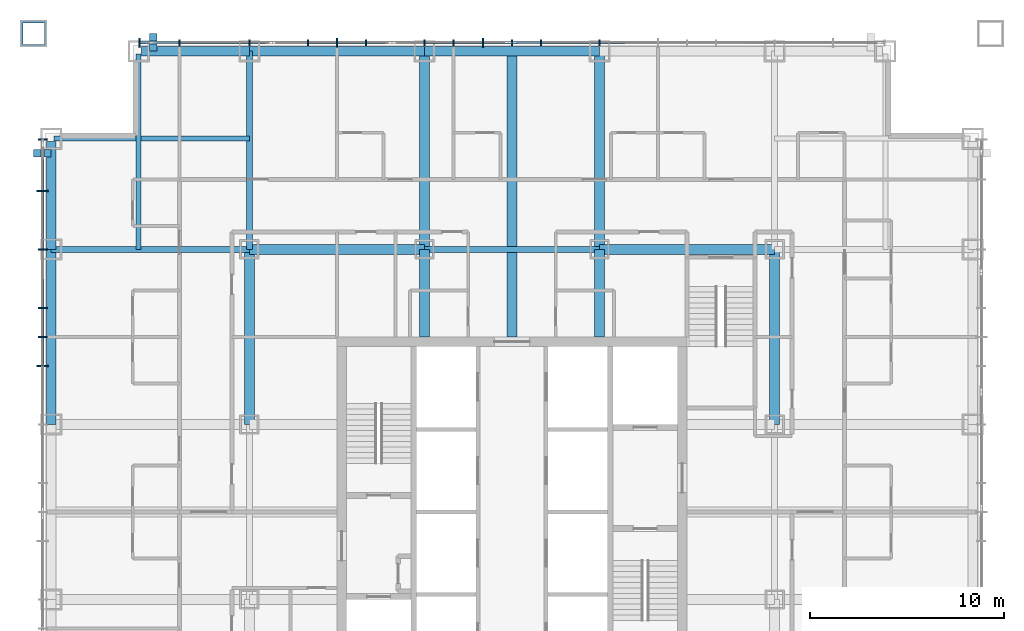
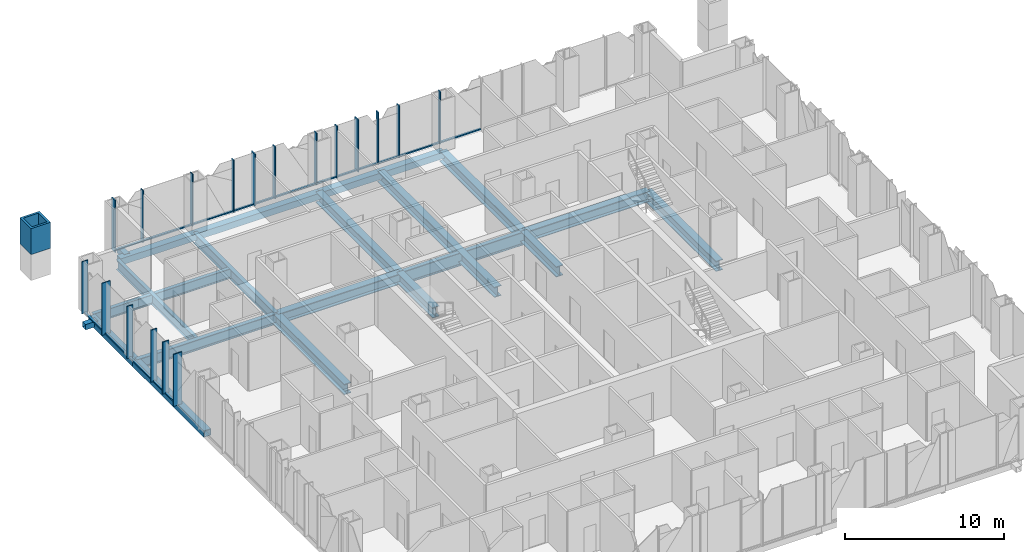
# One storey, part 5 of 23: 38 members, 19 beams, 2 elements without a shape of their own.
"""IFC4 building model written with IfcOpenShell, lengths in metres."""

from ifc_helpers import new_model, si_unit, direction, frame, origin, origin_2d, place, context, subcontext, project, spatial, rectangle, hollow_rectangle, i_section, extrude, material, layer, layer_set, material_profile, profile_set, type_object, element, aggregate, save


model = new_model("IFC4")

# Units and contexts
model_context = context("Model", 3, precision=1e-05, world=origin(), true_north=direction((0.0, 1.0)))
body_context = subcontext(model_context, "Body", "Model", "MODEL_VIEW")
ifc_project = project(units=[si_unit("LENGTHUNIT", "METRE"), si_unit("AREAUNIT", "SQUARE_METRE"), si_unit("VOLUMEUNIT", "CUBIC_METRE"), si_unit("PLANEANGLEUNIT", "RADIAN"), si_unit("MASSUNIT", "GRAM", prefix="KILO")], contexts=[model_context])

# Site, building, storey
site_placement = place(None, origin())
site = spatial("IfcSite", under=ifc_project, at=site_placement, CompositionType="ELEMENT")
building_placement = place(site_placement, origin())
building = spatial("IfcBuilding", under=site, at=building_placement, Name="Malebo Sky Hospital", CompositionType="ELEMENT")
storey_placement = place(building_placement, frame((0.0, 0.0, 168.0)))
storey = spatial("IfcBuildingStorey", under=building, at=storey_placement, Name="L40", CompositionType="ELEMENT", Elevation=168.0)

# Curtain wall, members
ifc_material_1 = material(Name="Anodised aluminium, natural silver", Category="aluminium")
ifc_layer_1 = layer(ifc_material_1, 0.25)
ifc_layer_set_1 = layer_set([ifc_layer_1], Name="WARD CURTAIN WALL NORTH AND SOUTH")
curtain_wall_type_1 = type_object("IfcCurtainWallType", Name="WARD CURTAIN WALL NORTH AND SOUTH", PredefinedType="NOTDEFINED", material=ifc_layer_set_1)
curtain_wall_1_placement = place(storey_placement, origin())
curtain_wall_1 = element("IfcCurtainWall", 1, at=curtain_wall_1_placement, inside=storey, type_object=curtain_wall_type_1, Name="NS curtain wall N", PredefinedType="NOTDEFINED")
ifc_material_profile_1 = material_profile(ifc_material_1, rectangle(XDim=0.14990234375, YDim=0.10009765625, at=origin_2d()), Name="ALUMINIUM TRANSOM 150x100")
ifc_profile_set_1 = profile_set([ifc_material_profile_1], Name="Anodised aluminium, natural silver")
member_type_1 = type_object("IfcMemberType", Name="ALUMINIUM TRANSOM 150x100", PredefinedType="USERDEFINED", material=ifc_profile_set_1)
member_1_placement = place(storey_placement, frame((40.875, 86.135009765625, 0.050048828125), z_axis=(1.0, 0.0, 0.0), x_axis=(0.0, 1.0, 0.0)))
member_1 = element("IfcMember", 2, at=member_1_placement, type_object=member_type_1, Name="Transom 1", ObjectType="TRANSOM", PredefinedType="USERDEFINED", context=body_context, shape_type="SweptSolid", body=[
    extrude(rectangle(XDim=0.14990234375, YDim=0.10009765625, at=origin_2d()), origin(), (0.0, 0.0, 1.0), 1.987548828125),
])
member_2_placement = place(storey_placement, frame((42.9375, 86.135009765625, 0.050048828125), z_axis=(1.0, 0.0, 0.0), x_axis=(0.0, 1.0, 0.0)))
member_2 = element("IfcMember", 3, at=member_2_placement, type_object=member_type_1, Name="Transom 2", ObjectType="TRANSOM", PredefinedType="USERDEFINED", context=body_context, shape_type="SweptSolid", body=[
    extrude(rectangle(XDim=0.14990234375, YDim=0.10009765625, at=origin_2d()), origin(), (0.0, 0.0, 1.0), 3.52490234375),
])
member_3_placement = place(storey_placement, frame((46.53759765625, 86.135009765625, 0.050048828125), z_axis=(1.0, 0.0, 0.0), x_axis=(0.0, 1.0, 0.0)))
member_3 = element("IfcMember", 4, at=member_3_placement, type_object=member_type_1, Name="Transom 3", ObjectType="TRANSOM", PredefinedType="USERDEFINED", context=body_context, shape_type="SweptSolid", body=[
    extrude(rectangle(XDim=0.14990234375, YDim=0.10009765625, at=origin_2d()), origin(), (0.0, 0.0, 1.0), 2.9248046875),
])
member_4_placement = place(storey_placement, frame((49.53759765625, 86.135009765625, 0.050048828125), z_axis=(1.0, 0.0, 0.0), x_axis=(0.0, 1.0, 0.0)))
member_4 = element("IfcMember", 5, at=member_4_placement, type_object=member_type_1, Name="Transom 4", ObjectType="TRANSOM", PredefinedType="USERDEFINED", context=body_context, shape_type="SweptSolid", body=[
    extrude(rectangle(XDim=0.14990234375, YDim=0.10009765625, at=origin_2d()), origin(), (0.0, 0.0, 1.0), 1.4248046875),
])
member_5_placement = place(storey_placement, frame((51.03759765625, 86.135009765625, 0.050048828125), z_axis=(1.0, 0.0, 0.0), x_axis=(0.0, 1.0, 0.0)))
member_5 = element("IfcMember", 6, at=member_5_placement, type_object=member_type_1, Name="Transom 5", ObjectType="TRANSOM", PredefinedType="USERDEFINED", context=body_context, shape_type="SweptSolid", body=[
    extrude(rectangle(XDim=0.14990234375, YDim=0.10009765625, at=origin_2d()), origin(), (0.0, 0.0, 1.0), 1.4248046875),
])
member_6_placement = place(storey_placement, frame((52.53759765625, 86.135009765625, 0.050048828125), z_axis=(1.0, 0.0, 0.0), x_axis=(0.0, 1.0, 0.0)))
member_6 = element("IfcMember", 7, at=member_6_placement, type_object=member_type_1, Name="Transom 6", ObjectType="TRANSOM", PredefinedType="USERDEFINED", context=body_context, shape_type="SweptSolid", body=[
    extrude(rectangle(XDim=0.14990234375, YDim=0.10009765625, at=origin_2d()), origin(), (0.0, 0.0, 1.0), 2.9248046875),
])
member_7_placement = place(storey_placement, frame((55.53759765625, 86.135009765625, 0.050048828125), z_axis=(1.0, 0.0, 0.0), x_axis=(0.0, 1.0, 0.0)))
member_7 = element("IfcMember", 8, at=member_7_placement, type_object=member_type_1, Name="Transom 7", ObjectType="TRANSOM", PredefinedType="USERDEFINED", context=body_context, shape_type="SweptSolid", body=[
    extrude(rectangle(XDim=0.14990234375, YDim=0.10009765625, at=origin_2d()), origin(), (0.0, 0.0, 1.0), 1.4248046875),
])
member_8_placement = place(storey_placement, frame((57.03759765625, 86.135009765625, 0.050048828125), z_axis=(1.0, 0.0, 0.0), x_axis=(0.0, 1.0, 0.0)))
member_8 = element("IfcMember", 9, at=member_8_placement, type_object=member_type_1, Name="Transom 8", ObjectType="TRANSOM", PredefinedType="USERDEFINED", context=body_context, shape_type="SweptSolid", body=[
    extrude(rectangle(XDim=0.14990234375, YDim=0.10009765625, at=origin_2d()), origin(), (0.0, 0.0, 1.0), 1.4248046875),
])
member_9_placement = place(storey_placement, frame((58.53759765625, 86.135009765625, 0.050048828125), z_axis=(1.0, 0.0, 0.0), x_axis=(0.0, 1.0, 0.0)))
member_9 = element("IfcMember", 10, at=member_9_placement, type_object=member_type_1, Name="Transom 9", ObjectType="TRANSOM", PredefinedType="USERDEFINED", context=body_context, shape_type="SweptSolid", body=[
    extrude(rectangle(XDim=0.14990234375, YDim=0.10009765625, at=origin_2d()), origin(), (0.0, 0.0, 1.0), 1.4248046875),
])
member_10_placement = place(storey_placement, frame((60.03759765625, 86.135009765625, 0.050048828125), z_axis=(1.0, 0.0, 0.0), x_axis=(0.0, 1.0, 0.0)))
member_10 = element("IfcMember", 11, at=member_10_placement, type_object=member_type_1, Name="Transom 10", ObjectType="TRANSOM", PredefinedType="USERDEFINED", context=body_context, shape_type="SweptSolid", body=[
    extrude(rectangle(XDim=0.14990234375, YDim=0.10009765625, at=origin_2d()), origin(), (0.0, 0.0, 1.0), 1.4248046875),
])
member_11_placement = place(storey_placement, frame((61.53759765625, 86.135009765625, 0.050048828125), z_axis=(1.0, 0.0, 0.0), x_axis=(0.0, 1.0, 0.0)))
member_11 = element("IfcMember", 12, at=member_11_placement, type_object=member_type_1, Name="Transom 11", ObjectType="TRANSOM", PredefinedType="USERDEFINED", context=body_context, shape_type="SweptSolid", body=[
    extrude(rectangle(XDim=0.14990234375, YDim=0.10009765625, at=origin_2d()), origin(), (0.0, 0.0, 1.0), 2.9248046875),
])
member_12_placement = place(storey_placement, frame((64.53759765625, 86.135009765625, 0.050048828125), z_axis=(1.0, 0.0, 0.0), x_axis=(0.0, 1.0, 0.0)))
member_12 = element("IfcMember", 13, at=member_12_placement, type_object=member_type_1, Name="Transom 12", ObjectType="TRANSOM", PredefinedType="USERDEFINED", context=body_context, shape_type="SweptSolid", body=[
    extrude(rectangle(XDim=0.14990234375, YDim=0.10009765625, at=origin_2d()), origin(), (0.0, 0.0, 1.0), 2.9248046875),
])

ifc_layer_2 = layer(ifc_material_1, 0.25)
ifc_layer_set_2 = layer_set([ifc_layer_2], Name="WARD CURTAIN WALL EAST AND WEST")
curtain_wall_type_2 = type_object("IfcCurtainWallType", Name="WARD CURTAIN WALL EAST AND WEST", PredefinedType="NOTDEFINED", material=ifc_layer_set_2)
curtain_wall_2_placement = place(storey_placement, origin())
curtain_wall_2 = element("IfcCurtainWall", 14, at=curtain_wall_2_placement, inside=storey, type_object=curtain_wall_type_2, Name="EW curtain wall W", PredefinedType="NOTDEFINED")
member_13_placement = place(storey_placement, frame((35.864990234375, 69.53759765625, 0.050048828125), z_axis=(0.0, 1.0, 0.0), x_axis=(-1.0, 0.0, 0.0)))
member_13 = element("IfcMember", 15, at=member_13_placement, type_object=member_type_1, Name="Transom 13", ObjectType="TRANSOM", PredefinedType="USERDEFINED", context=body_context, shape_type="SweptSolid", body=[
    extrude(rectangle(XDim=0.14990234375, YDim=0.10009765625, at=origin_2d()), origin(), (0.0, 0.0, 1.0), 1.4248046875),
])
member_14_placement = place(storey_placement, frame((35.864990234375, 71.03759765625, 0.050048828125), z_axis=(0.0, 1.0, 0.0), x_axis=(-1.0, 0.0, 0.0)))
member_14 = element("IfcMember", 16, at=member_14_placement, type_object=member_type_1, Name="Transom 14", ObjectType="TRANSOM", PredefinedType="USERDEFINED", context=body_context, shape_type="SweptSolid", body=[
    extrude(rectangle(XDim=0.14990234375, YDim=0.10009765625, at=origin_2d()), origin(), (0.0, 0.0, 1.0), 1.4248046875),
])
member_15_placement = place(storey_placement, frame((35.864990234375, 72.53759765625, 0.050048828125), z_axis=(0.0, 1.0, 0.0), x_axis=(-1.0, 0.0, 0.0)))
member_15 = element("IfcMember", 17, at=member_15_placement, type_object=member_type_1, Name="Transom 15", ObjectType="TRANSOM", PredefinedType="USERDEFINED", context=body_context, shape_type="SweptSolid", body=[
    extrude(rectangle(XDim=0.14990234375, YDim=0.10009765625, at=origin_2d()), origin(), (0.0, 0.0, 1.0), 2.9248046875),
])
member_16_placement = place(storey_placement, frame((35.864990234375, 75.53759765625, 0.050048828125), z_axis=(0.0, 1.0, 0.0), x_axis=(-1.0, 0.0, 0.0)))
member_16 = element("IfcMember", 18, at=member_16_placement, type_object=member_type_1, Name="Transom 16", ObjectType="TRANSOM", PredefinedType="USERDEFINED", context=body_context, shape_type="SweptSolid", body=[
    extrude(rectangle(XDim=0.14990234375, YDim=0.10009765625, at=origin_2d()), origin(), (0.0, 0.0, 1.0), 2.9248046875),
])
member_17_placement = place(storey_placement, frame((35.864990234375, 78.53759765625, 0.050048828125), z_axis=(0.0, 1.0, 0.0), x_axis=(-1.0, 0.0, 0.0)))
member_17 = element("IfcMember", 19, at=member_17_placement, type_object=member_type_1, Name="Transom 17", ObjectType="TRANSOM", PredefinedType="USERDEFINED", context=body_context, shape_type="SweptSolid", body=[
    extrude(rectangle(XDim=0.14990234375, YDim=0.10009765625, at=origin_2d()), origin(), (0.0, 0.0, 1.0), 2.58740234375),
])

# Members
ifc_material_2 = material(Name="Steel S355", Category="steel")
ifc_material_profile_2 = material_profile(ifc_material_2, hollow_rectangle(XDim=0.39990234375, YDim=0.39990234375, WallThickness=0.02001953125, at=origin_2d()), Name="SHS 400x20")
ifc_profile_set_2 = profile_set([ifc_material_profile_2], Name="Steel S355")
member_type_2 = type_object("IfcMemberType", Name="BRACE STRUT SHS 400x20", PredefinedType="STRUT", material=ifc_profile_set_2)
for number, where, z_axis, x_axis, name in (
    (20, (41.550048828125, 86.60009765625, -0.39990234375), (0.0, -1.0, 0.0), (1.0, 0.0, 0.0), "Brace strut BN1 L40"),
    (21, (35.39990234375, 80.449951171875, -0.39990234375), (1.0, 0.0, 0.0), (0.0, 1.0, 0.0), "Brace strut BW2 L40"),
):
    element("IfcMember", number, at=place(storey_placement, frame(where, z_axis=z_axis, x_axis=x_axis)), inside=storey, type_object=member_type_2, Name=name, PredefinedType="STRUT", context=body_context, shape_type="SweptSolid", body=[
        extrude(hollow_rectangle(XDim=0.39990234375, YDim=0.39990234375, WallThickness=0.02001953125, at=origin_2d()), origin(), (0.0, 0.0, 1.0), 0.900146484375),
    ])

# Member
ifc_material_profile_3 = material_profile(ifc_material_1, rectangle(XDim=0.074951171875, YDim=0.300048828125, at=origin_2d()), Name="CW1 ALUMINIUM FIN MULLION 75x300")
ifc_profile_set_3 = profile_set([ifc_material_profile_3], Name="Anodised aluminium, natural silver")
member_type_3 = type_object("IfcMemberType", Name="CW1 ALUMINIUM FIN MULLION 75x300", PredefinedType="MULLION", material=ifc_profile_set_3)
member_18_placement = place(storey_placement, frame((42.89990234375, 86.135009765625, 0.0), z_axis=(0.0, 0.0, 1.0), x_axis=(1.0, 0.0, 0.0)))
member_18 = element("IfcMember", 22, at=member_18_placement, type_object=member_type_3, Name="Fin mullion 2", PredefinedType="MULLION", context=body_context, shape_type="SweptSolid", body=[
    extrude(rectangle(XDim=0.074951171875, YDim=0.300048828125, at=origin_2d()), origin(), (0.0, 0.0, 1.0), 4.0),
])

member_19_placement = place(storey_placement, frame((46.5, 86.135009765625, 0.0), z_axis=(0.0, 0.0, 1.0), x_axis=(1.0, 0.0, 0.0)))
member_19 = element("IfcMember", 23, at=member_19_placement, type_object=member_type_3, Name="Fin mullion 3", PredefinedType="MULLION", context=body_context, shape_type="SweptSolid", body=[
    extrude(rectangle(XDim=0.074951171875, YDim=0.300048828125, at=origin_2d()), origin(), (0.0, 0.0, 1.0), 4.0),
])

member_20_placement = place(storey_placement, frame((49.5, 86.135009765625, 0.0), z_axis=(0.0, 0.0, 1.0), x_axis=(1.0, 0.0, 0.0)))
member_20 = element("IfcMember", 24, at=member_20_placement, type_object=member_type_3, Name="Fin mullion 4", PredefinedType="MULLION", context=body_context, shape_type="SweptSolid", body=[
    extrude(rectangle(XDim=0.074951171875, YDim=0.300048828125, at=origin_2d()), origin(), (0.0, 0.0, 1.0), 4.0),
])

member_21_placement = place(storey_placement, frame((52.5, 86.135009765625, 0.0), z_axis=(0.0, 0.0, 1.0), x_axis=(1.0, 0.0, 0.0)))
member_21 = element("IfcMember", 25, at=member_21_placement, type_object=member_type_3, Name="Fin mullion 6", PredefinedType="MULLION", context=body_context, shape_type="SweptSolid", body=[
    extrude(rectangle(XDim=0.074951171875, YDim=0.300048828125, at=origin_2d()), origin(), (0.0, 0.0, 1.0), 4.0),
])

member_22_placement = place(storey_placement, frame((55.5, 86.135009765625, 0.0), z_axis=(0.0, 0.0, 1.0), x_axis=(1.0, 0.0, 0.0)))
member_22 = element("IfcMember", 26, at=member_22_placement, type_object=member_type_3, Name="Fin mullion 7", PredefinedType="MULLION", context=body_context, shape_type="SweptSolid", body=[
    extrude(rectangle(XDim=0.074951171875, YDim=0.300048828125, at=origin_2d()), origin(), (0.0, 0.0, 1.0), 4.0),
])

member_23_placement = place(storey_placement, frame((57.0, 86.135009765625, 0.0), z_axis=(0.0, 0.0, 1.0), x_axis=(1.0, 0.0, 0.0)))
member_23 = element("IfcMember", 27, at=member_23_placement, type_object=member_type_3, Name="Fin mullion 8", PredefinedType="MULLION", context=body_context, shape_type="SweptSolid", body=[
    extrude(rectangle(XDim=0.074951171875, YDim=0.300048828125, at=origin_2d()), origin(), (0.0, 0.0, 1.0), 4.0),
])

member_24_placement = place(storey_placement, frame((60.0, 86.135009765625, 0.0), z_axis=(0.0, 0.0, 1.0), x_axis=(1.0, 0.0, 0.0)))
member_24 = element("IfcMember", 28, at=member_24_placement, type_object=member_type_3, Name="Fin mullion 10", PredefinedType="MULLION", context=body_context, shape_type="SweptSolid", body=[
    extrude(rectangle(XDim=0.074951171875, YDim=0.300048828125, at=origin_2d()), origin(), (0.0, 0.0, 1.0), 4.0),
])

member_25_placement = place(storey_placement, frame((61.5, 86.135009765625, 0.0), z_axis=(0.0, 0.0, 1.0), x_axis=(1.0, 0.0, 0.0)))
member_25 = element("IfcMember", 29, at=member_25_placement, type_object=member_type_3, Name="Fin mullion 11", PredefinedType="MULLION", context=body_context, shape_type="SweptSolid", body=[
    extrude(rectangle(XDim=0.074951171875, YDim=0.300048828125, at=origin_2d()), origin(), (0.0, 0.0, 1.0), 4.0),
])

member_26_placement = place(storey_placement, frame((64.5, 86.135009765625, 0.0), z_axis=(0.0, 0.0, 1.0), x_axis=(1.0, 0.0, 0.0)))
member_26 = element("IfcMember", 30, at=member_26_placement, type_object=member_type_3, Name="Fin mullion 12", PredefinedType="MULLION", context=body_context, shape_type="SweptSolid", body=[
    extrude(rectangle(XDim=0.074951171875, YDim=0.300048828125, at=origin_2d()), origin(), (0.0, 0.0, 1.0), 4.0),
])

ifc_material_profile_4 = material_profile(ifc_material_1, rectangle(XDim=0.074951171875, YDim=0.449951171875, at=origin_2d()), Name="CW1 ALUMINIUM FIN MULLION 75x450")
ifc_profile_set_4 = profile_set([ifc_material_profile_4], Name="Anodised aluminium, natural silver")
member_type_4 = type_object("IfcMemberType", Name="CW1 ALUMINIUM FIN MULLION 75x450", PredefinedType="MULLION", material=ifc_profile_set_4)
member_27_placement = place(storey_placement, frame((40.83740234375, 86.135009765625, 0.0), z_axis=(0.0, 0.0, 1.0), x_axis=(1.0, 0.0, 0.0)))
member_27 = element("IfcMember", 31, at=member_27_placement, type_object=member_type_4, Name="Fin mullion 1", PredefinedType="MULLION", context=body_context, shape_type="SweptSolid", body=[
    extrude(rectangle(XDim=0.074951171875, YDim=0.449951171875, at=origin_2d()), origin(), (0.0, 0.0, 1.0), 4.0),
])

member_28_placement = place(storey_placement, frame((51.0, 86.135009765625, 0.0), z_axis=(0.0, 0.0, 1.0), x_axis=(1.0, 0.0, 0.0)))
member_28 = element("IfcMember", 32, at=member_28_placement, type_object=member_type_4, Name="Fin mullion 5", PredefinedType="MULLION", context=body_context, shape_type="SweptSolid", body=[
    extrude(rectangle(XDim=0.074951171875, YDim=0.449951171875, at=origin_2d()), origin(), (0.0, 0.0, 1.0), 4.0),
])

member_29_placement = place(storey_placement, frame((58.5, 86.135009765625, 0.0), z_axis=(0.0, 0.0, 1.0), x_axis=(1.0, 0.0, 0.0)))
member_29 = element("IfcMember", 33, at=member_29_placement, type_object=member_type_4, Name="Fin mullion 9", PredefinedType="MULLION", context=body_context, shape_type="SweptSolid", body=[
    extrude(rectangle(XDim=0.074951171875, YDim=0.449951171875, at=origin_2d()), origin(), (0.0, 0.0, 1.0), 4.0),
])

aggregate(curtain_wall_1, [member_27, member_18, member_19, member_20, member_28, member_21, member_22, member_23, member_29, member_24, member_25, member_26, member_1, member_2, member_3, member_4, member_5, member_6, member_7, member_8, member_9, member_10, member_11, member_12])

ifc_material_profile_5 = material_profile(ifc_material_1, rectangle(XDim=0.074951171875, YDim=0.449951171875, at=origin_2d()), Name="CW2 ALUMINIUM FIN MULLION 75x450")
ifc_profile_set_5 = profile_set([ifc_material_profile_5], Name="Anodised aluminium, natural silver")
member_type_5 = type_object("IfcMemberType", Name="CW2 ALUMINIUM FIN MULLION 75x450", PredefinedType="MULLION", material=ifc_profile_set_5)
member_30_placement = place(storey_placement, frame((35.864990234375, 71.0, 0.0), z_axis=(0.0, 0.0, 1.0), x_axis=(0.0, 1.0, 0.0)))
member_30 = element("IfcMember", 34, at=member_30_placement, type_object=member_type_5, Name="Fin mullion 14", PredefinedType="MULLION", context=body_context, shape_type="SweptSolid", body=[
    extrude(rectangle(XDim=0.074951171875, YDim=0.449951171875, at=origin_2d()), origin(), (0.0, 0.0, 1.0), 4.0),
])

member_31_placement = place(storey_placement, frame((35.864990234375, 72.5, 0.0), z_axis=(0.0, 0.0, 1.0), x_axis=(0.0, 1.0, 0.0)))
member_31 = element("IfcMember", 35, at=member_31_placement, type_object=member_type_5, Name="Fin mullion 15", PredefinedType="MULLION", context=body_context, shape_type="SweptSolid", body=[
    extrude(rectangle(XDim=0.074951171875, YDim=0.449951171875, at=origin_2d()), origin(), (0.0, 0.0, 1.0), 4.0),
])

member_32_placement = place(storey_placement, frame((35.864990234375, 75.5, 0.0), z_axis=(0.0, 0.0, 1.0), x_axis=(0.0, 1.0, 0.0)))
member_32 = element("IfcMember", 36, at=member_32_placement, type_object=member_type_5, Name="Fin mullion 16", PredefinedType="MULLION", context=body_context, shape_type="SweptSolid", body=[
    extrude(rectangle(XDim=0.074951171875, YDim=0.449951171875, at=origin_2d()), origin(), (0.0, 0.0, 1.0), 4.0),
])

member_33_placement = place(storey_placement, frame((35.864990234375, 81.16259765625, 0.0), z_axis=(0.0, 0.0, 1.0), x_axis=(0.0, 1.0, 0.0)))
member_33 = element("IfcMember", 37, at=member_33_placement, type_object=member_type_5, Name="Fin mullion 18", PredefinedType="MULLION", context=body_context, shape_type="SweptSolid", body=[
    extrude(rectangle(XDim=0.074951171875, YDim=0.449951171875, at=origin_2d()), origin(), (0.0, 0.0, 1.0), 4.0),
])

ifc_material_profile_6 = material_profile(ifc_material_1, rectangle(XDim=0.074951171875, YDim=0.60009765625, at=origin_2d()), Name="CW2 ALUMINIUM FIN MULLION 75x600")
ifc_profile_set_6 = profile_set([ifc_material_profile_6], Name="Anodised aluminium, natural silver")
member_type_6 = type_object("IfcMemberType", Name="CW2 ALUMINIUM FIN MULLION 75x600", PredefinedType="MULLION", material=ifc_profile_set_6)
member_34_placement = place(storey_placement, frame((35.864990234375, 69.5, 0.0), z_axis=(0.0, 0.0, 1.0), x_axis=(0.0, 1.0, 0.0)))
member_34 = element("IfcMember", 38, at=member_34_placement, type_object=member_type_6, Name="Fin mullion 13", PredefinedType="MULLION", context=body_context, shape_type="SweptSolid", body=[
    extrude(rectangle(XDim=0.074951171875, YDim=0.60009765625, at=origin_2d()), origin(), (0.0, 0.0, 1.0), 4.0),
])

member_35_placement = place(storey_placement, frame((35.864990234375, 78.5, 0.0), z_axis=(0.0, 0.0, 1.0), x_axis=(0.0, 1.0, 0.0)))
member_35 = element("IfcMember", 39, at=member_35_placement, type_object=member_type_6, Name="Fin mullion 17", PredefinedType="MULLION", context=body_context, shape_type="SweptSolid", body=[
    extrude(rectangle(XDim=0.074951171875, YDim=0.60009765625, at=origin_2d()), origin(), (0.0, 0.0, 1.0), 4.0),
])

aggregate(curtain_wall_2, [member_34, member_30, member_31, member_32, member_35, member_33, member_13, member_14, member_15, member_16, member_17])

# Beams
ifc_material_3 = material(Name="Steel S460", Category="steel")
ifc_material_profile_7 = material_profile(ifc_material_3, hollow_rectangle(XDim=0.5, YDim=0.5, WallThickness=0.030029296875, at=origin_2d()), Name="BOX 500x500x30")
ifc_profile_set_7 = profile_set([ifc_material_profile_7], Name="Steel S460")
beam_type_1 = type_object("IfcBeamType", Name="EDGE BEAM BOX 500x500x30", PredefinedType="BEAM", material=ifc_profile_set_7)
beam_1_placement = place(storey_placement, frame((36.300048828125, 66.5, -0.5), z_axis=(0.0, 1.0, 0.0), x_axis=(-1.0, 0.0, 0.0)))
element("IfcBeam", 40, at=beam_1_placement, inside=storey, type_object=beam_type_1, Name="Beam 003 L40", PredefinedType="BEAM", context=body_context, shape_type="SweptSolid", body=[
    extrude(hollow_rectangle(XDim=0.5, YDim=0.5, WallThickness=0.030029296875, at=origin_2d()), origin(), (0.0, 0.0, 1.0), 9.0),
])
for number, where, z_axis, x_axis, name in (
    (41, (36.300048828125, 75.5, -0.5), (0.0, 1.0, 0.0), (-1.0, 0.0, 0.0), "Beam 004 L40"),
    (42, (40.949951171875, 85.699951171875, -0.5), (1.0, 0.0, 0.0), (0.0, 1.0, 0.0), "Beam 063 L40"),
):
    element("IfcBeam", number, at=place(storey_placement, frame(where, z_axis=z_axis, x_axis=x_axis)), inside=storey, type_object=beam_type_1, Name=name, PredefinedType="BEAM", context=body_context, shape_type="SweptSolid", body=[
        extrude(hollow_rectangle(XDim=0.5, YDim=0.5, WallThickness=0.030029296875, at=origin_2d()), origin(), (0.0, 0.0, 1.0), 5.550048828125),
    ])
for number, where, z_axis, x_axis, name in (
    (43, (46.5, 85.699951171875, -0.5), (1.0, 0.0, 0.0), (0.0, 1.0, 0.0), "Beam 064 L40"),
    (44, (55.5, 85.699951171875, -0.5), (1.0, 0.0, 0.0), (0.0, 1.0, 0.0), "Beam 065 L40"),
):
    element("IfcBeam", number, at=place(storey_placement, frame(where, z_axis=z_axis, x_axis=x_axis)), inside=storey, type_object=beam_type_1, Name=name, PredefinedType="BEAM", context=body_context, shape_type="SweptSolid", body=[
        extrude(hollow_rectangle(XDim=0.5, YDim=0.5, WallThickness=0.030029296875, at=origin_2d()), origin(), (0.0, 0.0, 1.0), 9.0),
    ])
ifc_material_profile_8 = material_profile(ifc_material_2, i_section(OverallWidth=0.262939453125, OverallDepth=0.7529296875, WebThickness=0.011474609375, FlangeThickness=0.01708984375, FilletRadius=0.01708984375, at=origin_2d()), Name="IPE 750x137")
ifc_profile_set_8 = profile_set([ifc_material_profile_8], Name="Steel S355")
beam_type_2 = type_object("IfcBeamType", Name="FLOOR BEAM IPE 750x137", PredefinedType="BEAM", material=ifc_profile_set_8)
for number, where, z_axis, x_axis, name in (
    (45, (40.800048828125, 75.5, -0.62646484375), (0.0, 1.0, 0.0), (-1.0, 0.0, 0.0), "Beam 006 L40"),
    (46, (36.449951171875, 81.199951171875, -0.62646484375), (1.0, 0.0, 0.0), (0.0, 1.0, 0.0), "Beam 061 L40"),
):
    element("IfcBeam", number, at=place(storey_placement, frame(where, z_axis=z_axis, x_axis=x_axis)), inside=storey, type_object=beam_type_2, Name=name, PredefinedType="BEAM", context=body_context, shape_type="SweptSolid", body=[
        extrude(i_section(OverallWidth=0.262939453125, OverallDepth=0.7529296875, WebThickness=0.011474609375, FlangeThickness=0.01708984375, FilletRadius=0.01708984375, at=origin_2d()), origin(), (0.0, 0.0, 1.0), 10.050048828125),
    ])
ifc_material_profile_9 = material_profile(ifc_material_2, i_section(OverallWidth=0.5, OverallDepth=0.800048828125, WebThickness=0.030029296875, FlangeThickness=0.050048828125, at=origin_2d()), Name="PG 800x500x30x50")
ifc_profile_set_9 = profile_set([ifc_material_profile_9], Name="Steel S355")
beam_type_3 = type_object("IfcBeamType", Name="FLOOR BEAM PG 800x500x30x50", PredefinedType="BEAM", material=ifc_profile_set_9)
beam_2_placement = place(storey_placement, frame((46.5, 66.5, -0.64990234375), z_axis=(0.0, 1.0, 0.0), x_axis=(-1.0, 0.0, 0.0)))
element("IfcBeam", 47, at=beam_2_placement, inside=storey, type_object=beam_type_3, Name="Beam 010 L40", PredefinedType="BEAM", context=body_context, shape_type="SweptSolid", body=[
    extrude(i_section(OverallWidth=0.5, OverallDepth=0.800048828125, WebThickness=0.030029296875, FlangeThickness=0.050048828125, at=origin_2d()), origin(), (0.0, 0.0, 1.0), 9.0),
])
beam_3_placement = place(storey_placement, frame((55.5, 71.0, -0.64990234375), z_axis=(0.0, 1.0, 0.0), x_axis=(-1.0, 0.0, 0.0)))
element("IfcBeam", 48, at=beam_3_placement, inside=storey, type_object=beam_type_3, Name="Beam 014 L40", PredefinedType="BEAM", context=body_context, shape_type="SweptSolid", body=[
    extrude(i_section(OverallWidth=0.5, OverallDepth=0.800048828125, WebThickness=0.030029296875, FlangeThickness=0.050048828125, at=origin_2d()), origin(), (0.0, 0.0, 1.0), 4.5),
])
beam_4_placement = place(storey_placement, frame((55.5, 75.5, -0.64990234375), z_axis=(0.0, 1.0, 0.0), x_axis=(-1.0, 0.0, 0.0)))
element("IfcBeam", 49, at=beam_4_placement, inside=storey, type_object=beam_type_3, Name="Beam 015 L40", PredefinedType="BEAM", context=body_context, shape_type="SweptSolid", body=[
    extrude(i_section(OverallWidth=0.5, OverallDepth=0.800048828125, WebThickness=0.030029296875, FlangeThickness=0.050048828125, at=origin_2d()), origin(), (0.0, 0.0, 1.0), 10.199951171875),
])
beam_5_placement = place(storey_placement, frame((60.0, 71.0, -0.64990234375), z_axis=(0.0, 1.0, 0.0), x_axis=(-1.0, 0.0, 0.0)))
element("IfcBeam", 50, at=beam_5_placement, inside=storey, type_object=beam_type_3, Name="Beam 017 L40", PredefinedType="BEAM", context=body_context, shape_type="SweptSolid", body=[
    extrude(i_section(OverallWidth=0.5, OverallDepth=0.800048828125, WebThickness=0.030029296875, FlangeThickness=0.050048828125, at=origin_2d()), origin(), (0.0, 0.0, 1.0), 14.699951171875),
])
beam_6_placement = place(storey_placement, frame((64.5, 71.0, -0.64990234375), z_axis=(0.0, 1.0, 0.0), x_axis=(-1.0, 0.0, 0.0)))
element("IfcBeam", 51, at=beam_6_placement, inside=storey, type_object=beam_type_3, Name="Beam 020 L40", PredefinedType="BEAM", context=body_context, shape_type="SweptSolid", body=[
    extrude(i_section(OverallWidth=0.5, OverallDepth=0.800048828125, WebThickness=0.030029296875, FlangeThickness=0.050048828125, at=origin_2d()), origin(), (0.0, 0.0, 1.0), 4.5),
])
beam_7_placement = place(storey_placement, frame((64.5, 75.5, -0.64990234375), z_axis=(0.0, 1.0, 0.0), x_axis=(-1.0, 0.0, 0.0)))
element("IfcBeam", 52, at=beam_7_placement, inside=storey, type_object=beam_type_3, Name="Beam 021 L40", PredefinedType="BEAM", context=body_context, shape_type="SweptSolid", body=[
    extrude(i_section(OverallWidth=0.5, OverallDepth=0.800048828125, WebThickness=0.030029296875, FlangeThickness=0.050048828125, at=origin_2d()), origin(), (0.0, 0.0, 1.0), 10.199951171875),
])
for number, where, z_axis, x_axis, name in (
    (53, (73.5, 66.5, -0.64990234375), (0.0, 1.0, 0.0), (-1.0, 0.0, 0.0), "Beam 025 L40"),
    (54, (46.5, 75.5, -0.64990234375), (1.0, 0.0, 0.0), (0.0, 1.0, 0.0), "Beam 057 L40"),
    (55, (64.5, 75.5, -0.64990234375), (1.0, 0.0, 0.0), (0.0, 1.0, 0.0), "Beam 059 L40"),
):
    element("IfcBeam", number, at=place(storey_placement, frame(where, z_axis=z_axis, x_axis=x_axis)), inside=storey, type_object=beam_type_3, Name=name, PredefinedType="BEAM", context=body_context, shape_type="SweptSolid", body=[
        extrude(i_section(OverallWidth=0.5, OverallDepth=0.800048828125, WebThickness=0.030029296875, FlangeThickness=0.050048828125, at=origin_2d()), origin(), (0.0, 0.0, 1.0), 9.0),
    ])
ifc_material_profile_10 = material_profile(ifc_material_2, i_section(OverallWidth=0.300048828125, OverallDepth=0.800048828125, WebThickness=0.017578125, FlangeThickness=0.032958984375, FilletRadius=0.030029296875, at=origin_2d()), Name="HEB 800")
ifc_profile_set_10 = profile_set([ifc_material_profile_10], Name="Steel S355")
beam_type_4 = type_object("IfcBeamType", Name="FLOOR GIRDER HEB 800", PredefinedType="BEAM", material=ifc_profile_set_10)
for number, where, z_axis, x_axis, name in (
    (56, (46.5, 75.5, -0.64990234375), (0.0, 1.0, 0.0), (-1.0, 0.0, 0.0), "Beam 011 L40"),
    (57, (36.300048828125, 75.5, -0.64990234375), (1.0, 0.0, 0.0), (0.0, 1.0, 0.0), "Beam 056 L40"),
):
    element("IfcBeam", number, at=place(storey_placement, frame(where, z_axis=z_axis, x_axis=x_axis)), inside=storey, type_object=beam_type_4, Name=name, PredefinedType="BEAM", context=body_context, shape_type="SweptSolid", body=[
        extrude(i_section(OverallWidth=0.300048828125, OverallDepth=0.800048828125, WebThickness=0.017578125, FlangeThickness=0.032958984375, FilletRadius=0.030029296875, at=origin_2d()), origin(), (0.0, 0.0, 1.0), 10.199951171875),
    ])

# Member
ifc_material_profile_11 = material_profile(ifc_material_3, hollow_rectangle(XDim=1.39990234375, YDim=1.39990234375, WallThickness=0.14990234375, at=origin_2d()), Name="BOX 1400x1400x150")
ifc_profile_set_11 = profile_set([ifc_material_profile_11], Name="Steel S460")
member_type_7 = type_object("IfcMemberType", Name="MEGA COLUMN NODE BOX 1400x1400x150", PredefinedType="MEMBER", material=ifc_profile_set_11)
member_36_placement = place(storey_placement, frame((35.39990234375, 86.60009765625, 2.0), z_axis=(0.0, 0.0, 1.0), x_axis=(1.0, 0.0, 0.0)))
element("IfcMember", 58, at=member_36_placement, inside=storey, type_object=member_type_7, Name="Mega column node NW L40", PredefinedType="MEMBER", context=body_context, shape_type="SweptSolid", body=[
    extrude(hollow_rectangle(XDim=1.39990234375, YDim=1.39990234375, WallThickness=0.14990234375, at=origin_2d()), origin(), (0.0, 0.0, 1.0), 2.0),
])

# Beam
ifc_material_profile_12 = material_profile(ifc_material_2, i_section(OverallWidth=0.300048828125, OverallDepth=1.0, WebThickness=0.01904296875, FlangeThickness=0.035888671875, FilletRadius=0.030029296875, at=origin_2d()), Name="HEB 1000")
ifc_profile_set_12 = profile_set([ifc_material_profile_12], Name="Steel S355")
beam_type_5 = type_object("IfcBeamType", Name="RING GIRDER HEB 1000", PredefinedType="BEAM", material=ifc_profile_set_12)
beam_8_placement = place(storey_placement, frame((55.5, 75.5, -0.75), z_axis=(1.0, 0.0, 0.0), x_axis=(0.0, 1.0, 0.0)))
element("IfcBeam", 59, at=beam_8_placement, inside=storey, type_object=beam_type_5, Name="Beam 058 L40", PredefinedType="BEAM", context=body_context, shape_type="SweptSolid", body=[
    extrude(i_section(OverallWidth=0.300048828125, OverallDepth=1.0, WebThickness=0.01904296875, FlangeThickness=0.035888671875, FilletRadius=0.030029296875, at=origin_2d()), origin(), (0.0, 0.0, 1.0), 9.0),
])

save(model, "model.ifc")
